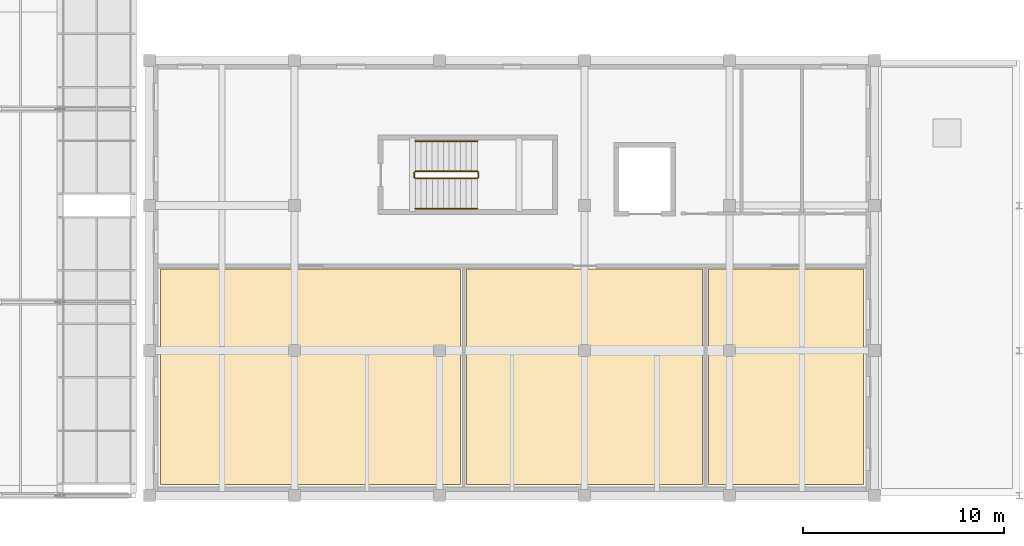
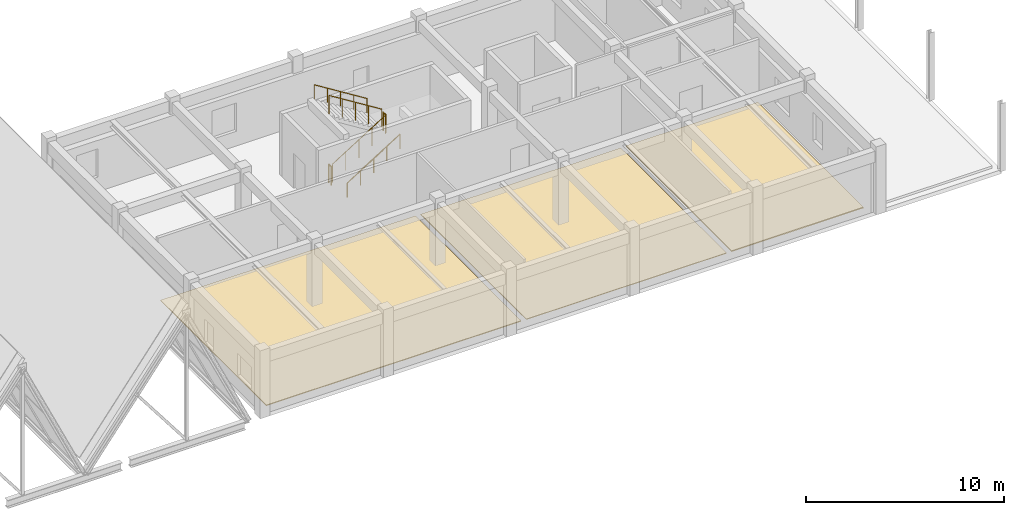
# One storey, part 95 of 99: 6 railings, 3 coverings.
"""IFC4 building model written with IfcOpenShell, lengths in metres."""

import ifcopenshell
import ifcopenshell.guid

model = None  # the IFC model being written
_history = None  # IfcOwnerHistory: only IFC2X3 demands one
_inside = {}  # id of a spatial element -> (the spatial element, [elements in it])
_under = {}  # id of a project, library or spatial element -> (it, [spatial elements below it])
_declared = {}  # id of a project -> (the project, [libraries it declares])
_typed = {}  # id of a type object -> (the type object, [elements of that type])
_made_of = {}  # id of a material, layer set ... -> (it, [elements and type objects made of it])


def new_model(schema):
    """Start an empty IFC model of exactly this schema.

    Asked for "IFC4X3", IfcOpenShell would pick the latest addendum, in which some entities
    have other attributes; the version numbers below select the first issue.
    IFC2X3 requires an IfcOwnerHistory on every rooted entity: one is made here for all.
    """
    global model, _history
    if schema == "IFC4X3":
        model = ifcopenshell.file(schema_version=(4, 3, 0, 0))
    else:
        model = ifcopenshell.file(schema=schema)
    _inside.clear()
    _under.clear()
    _declared.clear()
    _typed.clear()
    _made_of.clear()
    _history = None
    if model.schema == "IFC2X3":
        org = make("IfcOrganization", Name="unknown")
        user = make(
            "IfcPersonAndOrganization",
            ThePerson=make("IfcPerson", FamilyName="unknown"),
            TheOrganization=org,
        )
        app = make(
            "IfcApplication",
            ApplicationDeveloper=org,
            Version="unknown",
            ApplicationFullName="unknown",
            ApplicationIdentifier="unknown",
        )
        _history = make(
            "IfcOwnerHistory",
            OwningUser=user,
            OwningApplication=app,
            ChangeAction="ADDED",
            CreationDate=0,
        )
    return model


def make(cls, **values):
    """One entity of the class cls with the attributes given. An attribute that is None is left unset."""
    return model.create_entity(
        cls, **{name: value for name, value in values.items() if value is not None}
    )


def rooted(cls, **values):
    """An entity with a GlobalId (a new one), such as an element, a storey or a relation."""
    return make(cls, GlobalId=ifcopenshell.guid.new(), OwnerHistory=_history, **values)


def si_unit(unit_type, name, prefix=None):
    """IfcSIUnit, for example si_unit("LENGTHUNIT", "METRE", prefix="MILLI")."""
    return make("IfcSIUnit", UnitType=unit_type, Prefix=prefix, Name=name)


def assignment(units):
    """IfcUnitAssignment: the units of a project."""
    return None if units is None else make("IfcUnitAssignment", Units=units)


def point(xyz):
    """IfcCartesianPoint."""
    return None if xyz is None else make("IfcCartesianPoint", Coordinates=xyz)


def direction(xyz):
    """IfcDirection."""
    return None if xyz is None else make("IfcDirection", DirectionRatios=xyz)


def frame(location, z_axis=None, x_axis=None):
    """IfcAxis2Placement3D, a coordinate frame: its origin and axes. An axis left out is left unset."""
    return make(
        "IfcAxis2Placement3D",
        Location=point(location),
        Axis=direction(z_axis),
        RefDirection=direction(x_axis),
    )


def frame_2d(location, x_axis=None):
    """IfcAxis2Placement2D, a coordinate frame in the plane: its origin and x axis."""
    return make(
        "IfcAxis2Placement2D", Location=point(location), RefDirection=direction(x_axis)
    )


def origin():
    """The frame at (0, 0, 0) with its axes left unset."""
    return frame((0.0, 0.0, 0.0))


def origin_2d():
    """The frame at (0, 0) in the plane with its x axis left unset."""
    return frame_2d((0.0, 0.0))


def place(relative_to, where):
    """IfcLocalPlacement: puts the frame where relative to a parent placement (None: the world)."""
    return make(
        "IfcLocalPlacement", PlacementRelTo=relative_to, RelativePlacement=where
    )


def context(
    kind, dimensions, precision=None, world=None, true_north=None, identifier=None
):
    """IfcGeometricRepresentationContext, for example the 3D "Model" context."""
    return make(
        "IfcGeometricRepresentationContext",
        ContextIdentifier=identifier,
        ContextType=kind,
        CoordinateSpaceDimension=dimensions,
        Precision=precision,
        WorldCoordinateSystem=world,
        TrueNorth=true_north,
    )


def subcontext(parent, identifier, kind, view, scale=None):
    """IfcGeometricRepresentationSubContext, for example "Body" below "Model"."""
    return make(
        "IfcGeometricRepresentationSubContext",
        ContextIdentifier=identifier,
        ContextType=kind,
        ParentContext=parent,
        TargetScale=scale,
        TargetView=view,
    )


def project(units=None, contexts=None):
    """IfcProject with its units and contexts."""
    return rooted(
        "IfcProject",
        Name="project",
        RepresentationContexts=contexts,
        UnitsInContext=assignment(units),
    )


def spatial(cls, under=None, at=None, **own):
    """A site, building, storey or space (cls), placed at a placement, below another one or the project."""
    s = rooted(cls, ObjectPlacement=at, **own)
    if under is not None:
        _under.setdefault(under.id(), (under, []))[1].append(s)
    return s


def polyline(points):
    """IfcPolyline through the points."""
    return make("IfcPolyline", Points=[point(p) for p in points])


def profile(cls, at=None, kind="AREA", **sizes):
    """A parametric profile (cls). Its sizes go by their IFC names, for example OverallWidth=200.0."""
    return make(cls, ProfileType=kind, Position=at, **sizes)


def circle(**sizes):
    """IfcCircleProfileDef."""
    return profile("IfcCircleProfileDef", **sizes)


def outline(outer, holes=None, kind="AREA"):
    """IfcArbitraryClosedProfileDef: a profile drawn as a closed curve; with holes, ...WithVoids."""
    if holes is None:
        return make("IfcArbitraryClosedProfileDef", ProfileType=kind, OuterCurve=outer)
    return make(
        "IfcArbitraryProfileDefWithVoids",
        ProfileType=kind,
        OuterCurve=outer,
        InnerCurves=holes,
    )


def extrude(swept, where, along, depth):
    """IfcExtrudedAreaSolid: the profile swept, set in the frame where, extruded along a direction by depth."""
    return make(
        "IfcExtrudedAreaSolid",
        SweptArea=swept,
        Position=where,
        ExtrudedDirection=direction(along),
        Depth=depth,
    )


def shape(context_of_items, identifier, shape_type, items):
    """IfcShapeRepresentation: the items that make up one representation, for example the "Body"."""
    return make(
        "IfcShapeRepresentation",
        ContextOfItems=context_of_items,
        RepresentationIdentifier=identifier,
        RepresentationType=shape_type,
        Items=items,
    )


def material(Name=None, Category=None):
    """IfcMaterial."""
    return make("IfcMaterial", Name=Name, Category=Category)


def layer(
    of_material, thickness, ventilated=None, Name=None, Category=None, Priority=None
):
    """IfcMaterialLayer: one layer of a wall or slab, of a material (None: an air gap)."""
    return make(
        "IfcMaterialLayer",
        Material=of_material,
        LayerThickness=thickness,
        IsVentilated=ventilated,
        Name=Name,
        Category=Category,
        Priority=Priority,
    )


def layer_set(layers, Name=None):
    """IfcMaterialLayerSet."""
    return make("IfcMaterialLayerSet", MaterialLayers=layers, LayerSetName=Name)


def made_of(thing, what):
    """Note that an element or type object is made of a material, layer set ...; save() writes the relation."""
    if what is not None:
        _made_of.setdefault(what.id(), (what, []))[1].append(thing)
    return thing


def type_object(cls, material=None, **own):
    """A type object (cls), such as IfcWallType, which elements share."""
    return made_of(rooted(cls, **own), material)


def element(
    cls,
    number,
    at=None,
    inside=None,
    cuts=None,
    type_object=None,
    material=None,
    context=None,
    identifier="Body",
    shape_type=None,
    held_by="IfcProductDefinitionShape",
    body=None,
    shapes=None,
    **own,
):
    """One element of the class cls, such as IfcWall. Its Tag is "e" and its number.

    at: its placement. inside: the storey or other place that contains it. cuts: it is an
    opening in that element (IfcRelVoidsElement). A single representation is given by context,
    identifier, shape_type and body (its items); several are given by shapes. held_by: the class
    of the entity that holds the representations. save() writes the other relations.
    """
    e = rooted(cls, Tag="e%d" % number, ObjectPlacement=at, **own)
    if body is not None:
        shapes = [shape(context, identifier, shape_type, body)]
    if shapes is not None:
        e.Representation = make(held_by, Representations=shapes)
    if inside is not None:
        _inside.setdefault(inside.id(), (inside, []))[1].append(e)
    if cuts is not None:
        rooted(
            "IfcRelVoidsElement", RelatingBuildingElement=cuts, RelatedOpeningElement=e
        )
    if type_object is not None:
        _typed.setdefault(type_object.id(), (type_object, []))[1].append(e)
    return made_of(e, material)


def aggregate(whole, parts):
    """IfcRelAggregates: a whole, such as a stair, and the parts it consists of."""
    return rooted("IfcRelAggregates", RelatingObject=whole, RelatedObjects=parts)


def save(model, path):
    """Write the relations noted so far, then the file.

    IfcRelAggregates (storeys below a building ...), IfcRelContainedInSpatialStructure (elements
    in a storey), IfcRelDefinesByType, IfcRelAssociatesMaterial and IfcRelDeclares: one each for
    every whole, place, type object, material and project.
    """
    for whole, parts in _under.values():
        aggregate(whole, parts)
    for where, things in _inside.values():
        rooted(
            "IfcRelContainedInSpatialStructure",
            RelatedElements=things,
            RelatingStructure=where,
        )
    for kind, things in _typed.values():
        rooted("IfcRelDefinesByType", RelatedObjects=things, RelatingType=kind)
    for what, things in _made_of.values():
        rooted("IfcRelAssociatesMaterial", RelatedObjects=things, RelatingMaterial=what)
    for by, libraries in _declared.values():
        rooted("IfcRelDeclares", RelatingContext=by, RelatedDefinitions=libraries)
    model.write(path)


model = new_model("IFC4")

# Units and contexts
model_context = context("Model", 3, precision=1e-05, world=origin(), true_north=direction((0.0, 1.0)))
body_context = subcontext(model_context, "Body", "Model", "MODEL_VIEW")
ifc_project = project(units=[si_unit("LENGTHUNIT", "METRE"), si_unit("AREAUNIT", "SQUARE_METRE"), si_unit("VOLUMEUNIT", "CUBIC_METRE"), si_unit("PLANEANGLEUNIT", "RADIAN"), si_unit("MASSUNIT", "GRAM", prefix="KILO")], contexts=[model_context])

# Site, building, storey
site_placement = place(None, origin())
site = spatial("IfcSite", under=ifc_project, at=site_placement, CompositionType="ELEMENT")
building_placement = place(site_placement, origin())
building = spatial("IfcBuilding", under=site, at=building_placement, Name="Bramveld Media Centre", CompositionType="ELEMENT")
storey_placement = place(building_placement, frame((0.0, 0.0, 13.800048828125)))
storey = spatial("IfcBuildingStorey", under=building, at=storey_placement, Name="L03", CompositionType="ELEMENT", Elevation=13.800048828125)

# Coverings
ifc_material_1 = material(Name="Floating acoustic screed with smoked European oak studio flooring")
ifc_layer_1 = layer(ifc_material_1, 0.06494140625)
ifc_layer_set_1 = layer_set([ifc_layer_1], Name="Floating acoustic screed with smoked European oak studio flooring")
covering_type_1 = type_object("IfcCoveringType", Name="COV-FLOOR-01", PredefinedType="FLOORING", material=ifc_layer_set_1)
covering_1_placement = place(storey_placement, origin())
element("IfcCovering", 1, at=covering_1_placement, inside=storey, type_object=covering_type_1, Name="Cold Vault Acclimatisation Airlock finish flooring", PredefinedType="FLOORING", context=body_context, shape_type="SweptSolid", body=[
    extrude(outline(polyline([(86.14990234375, 0.550048828125), (93.85009765625, 0.550048828125), (93.85009765625, 11.25), (86.14990234375, 11.25), (86.14990234375, 0.550048828125)])), origin(), (0.0, 0.0, 1.0), 0.06494140625),
])
ifc_material_2 = material(Name="Honed Belgian bluestone (petit granit) public concourse flooring", Category="masonry")
ifc_layer_2 = layer(ifc_material_2, 0.050048828125)
ifc_layer_set_2 = layer_set([ifc_layer_2], Name="Honed Belgian bluestone (petit granit) public concourse flooring")
covering_type_2 = type_object("IfcCoveringType", Name="COV-FLOOR-02", PredefinedType="FLOORING", material=ifc_layer_set_2)
covering_2_placement = place(storey_placement, origin())
element("IfcCovering", 2, at=covering_2_placement, inside=storey, type_object=covering_type_2, Name="Photochemical Film Inspection Laboratory finish flooring", PredefinedType="FLOORING", context=body_context, shape_type="SweptSolid", body=[
    extrude(outline(polyline([(58.949951171875, 0.550048828125), (73.85009765625, 0.550048828125), (73.85009765625, 11.25), (58.949951171875, 11.25), (58.949951171875, 0.550048828125)])), origin(), (0.0, 0.0, 1.0), 0.050048828125),
])
ifc_material_3 = material(Name="Anti-static acoustic linoleum editing & vault flooring")
ifc_layer_3 = layer(ifc_material_3, 0.0400390625)
ifc_layer_set_3 = layer_set([ifc_layer_3], Name="Anti-static acoustic linoleum editing & vault flooring")
covering_type_3 = type_object("IfcCoveringType", Name="COV-FLOOR-03", PredefinedType="FLOORING", material=ifc_layer_set_3)
covering_3_placement = place(storey_placement, origin())
element("IfcCovering", 3, at=covering_3_placement, inside=storey, type_object=covering_type_3, Name="Ultrasonic Film Cleaning & Repair Studio finish flooring", PredefinedType="FLOORING", context=body_context, shape_type="SweptSolid", body=[
    extrude(outline(polyline([(74.14990234375, 0.550048828125), (85.85009765625, 0.550048828125), (85.85009765625, 11.25), (74.14990234375, 11.25), (74.14990234375, 0.550048828125)])), origin(), (0.0, 0.0, 1.0), 0.0400390625),
])

# Railings
ifc_material_4 = material(Name="Painted galvanized steel stairwell guardrail", Category="steel")
railing_type_1 = type_object("IfcRailingType", Name="RAIL-STAIR-GUARD-1150", PredefinedType="GUARDRAIL", material=ifc_material_4)
railing_1_placement = place(storey_placement, frame((71.60009765625, 15.75, 0.175048828125)))
element("IfcRailing", 4, at=railing_1_placement, inside=storey, type_object=railing_type_1, Name="L03 ST-06 stair guard 1", PredefinedType="GUARDRAIL", context=body_context, shape_type="SweptSolid", body=[
    extrude(circle(Radius=0.02392578125, at=origin_2d()), frame((0.0, 0.0, 1.1259765625), z_axis=(0.848009633417, 0.0, 0.529980812513), x_axis=(0.0, 1.0, 0.0)), (0.0, 0.0, 1.0), 3.6318359375),
    extrude(circle(Radius=0.02099609375, at=origin_2d()), origin(), (0.0, 0.0, 1.0), 1.101806640625),
    extrude(circle(Radius=0.02099609375, at=origin_2d()), frame((0.77001953125, 0.0, 0.481201171875)), (0.0, 0.0, 1.0), 1.101806640625),
    extrude(circle(Radius=0.02099609375, at=origin_2d()), frame((1.5400390625, 0.0, 0.96240234375)), (0.0, 0.0, 1.0), 1.101806640625),
    extrude(circle(Radius=0.02099609375, at=origin_2d()), frame((2.309814453125, 0.0, 1.443603515625)), (0.0, 0.0, 1.0), 1.101806640625),
    extrude(circle(Radius=0.02099609375, at=origin_2d()), frame((3.079833984375, 0.0, 1.9248046875)), (0.0, 0.0, 1.0), 1.101806640625),
])
railing_2_placement = place(storey_placement, frame((74.72998046875, 15.800048828125, 2.099853515625)))
element("IfcRailing", 5, at=railing_2_placement, inside=storey, type_object=railing_type_1, Name="L03 ST-06 stair guard 2", PredefinedType="GUARDRAIL", context=body_context, shape_type="SweptSolid", body=[
    extrude(circle(Radius=0.02392578125, at=origin_2d()), frame((0.0, 0.0, 1.1259765625), z_axis=(0.0, 1.0, 0.0), x_axis=(-1.0, 0.0, 0.0)), (0.0, 0.0, 1.0), 0.25),
    extrude(circle(Radius=0.02099609375, at=origin_2d()), origin(), (0.0, 0.0, 1.0), 1.101806640625),
    extrude(circle(Radius=0.02099609375, at=origin_2d()), frame((0.0, 0.25, 0.0)), (0.0, 0.0, 1.0), 1.101806640625),
])
railing_3_placement = place(storey_placement, frame((74.679931640625, 16.10009765625, 2.27490234375)))
element("IfcRailing", 6, at=railing_3_placement, inside=storey, type_object=railing_type_1, Name="L03 ST-06 stair guard 3", PredefinedType="GUARDRAIL", context=body_context, shape_type="SweptSolid", body=[
    extrude(circle(Radius=0.02392578125, at=origin_2d()), frame((0.0, 0.0, 1.1259765625), z_axis=(-0.847979421464, 0.0, 0.530029150871), x_axis=(0.0, -1.0, 0.0)), (0.0, 0.0, 1.0), 3.632080078125),
    extrude(circle(Radius=0.02099609375, at=origin_2d()), origin(), (0.0, 0.0, 1.0), 1.101806640625),
    extrude(circle(Radius=0.02099609375, at=origin_2d()), frame((-0.77001953125, 0.0, 0.481201171875)), (0.0, 0.0, 1.0), 1.101806640625),
    extrude(circle(Radius=0.02099609375, at=origin_2d()), frame((-1.5400390625, 0.0, 0.96240234375)), (0.0, 0.0, 1.0), 1.101806640625),
    extrude(circle(Radius=0.02099609375, at=origin_2d()), frame((-2.309814453125, 0.0, 1.44384765625)), (0.0, 0.0, 1.0), 1.101806640625),
    extrude(circle(Radius=0.02099609375, at=origin_2d()), frame((-3.079833984375, 0.0, 1.925048828125)), (0.0, 0.0, 1.0), 1.101806640625),
])
railing_4_placement = place(storey_placement, frame((71.550048828125, 15.800048828125, 0.0)))
element("IfcRailing", 7, at=railing_4_placement, inside=storey, type_object=railing_type_1, Name="L03 ST-06 stair guard 4", PredefinedType="GUARDRAIL", context=body_context, shape_type="SweptSolid", body=[
    extrude(circle(Radius=0.02392578125, at=origin_2d()), frame((0.0, 0.0, 1.1259765625), z_axis=(0.0, 1.0, 0.0), x_axis=(-1.0, 0.0, 0.0)), (0.0, 0.0, 1.0), 0.25),
    extrude(circle(Radius=0.02099609375, at=origin_2d()), origin(), (0.0, 0.0, 1.0), 1.101806640625),
    extrude(circle(Radius=0.02099609375, at=origin_2d()), frame((0.0, 0.25, 0.0)), (0.0, 0.0, 1.0), 1.101806640625),
])
ifc_material_5 = material(Name="Brushed stainless steel tubular stair handrail", Category="steel")
railing_type_2 = type_object("IfcRailingType", Name="RAIL-STAIR-HAND-0920", PredefinedType="HANDRAIL", material=ifc_material_5)
railing_5_placement = place(storey_placement, frame((71.60009765625, 14.25, 0.175048828125)))
element("IfcRailing", 8, at=railing_5_placement, inside=storey, type_object=railing_type_2, Name="L03 ST-06 stair handrail 1", PredefinedType="HANDRAIL", context=body_context, shape_type="SweptSolid", body=[
    extrude(circle(Radius=0.02392578125, at=origin_2d()), frame((0.0, 0.0, 0.8759765625), z_axis=(0.848009633417, 0.0, 0.529980812513), x_axis=(0.0, 1.0, 0.0)), (0.0, 0.0, 1.0), 3.6318359375),
    extrude(circle(Radius=0.02099609375, at=origin_2d()), origin(), (0.0, 0.0, 1.0), 0.851806640625),
    extrude(circle(Radius=0.02099609375, at=origin_2d()), frame((0.77001953125, 0.0, 0.481201171875)), (0.0, 0.0, 1.0), 0.851806640625),
    extrude(circle(Radius=0.02099609375, at=origin_2d()), frame((1.5400390625, 0.0, 0.96240234375)), (0.0, 0.0, 1.0), 0.851806640625),
    extrude(circle(Radius=0.02099609375, at=origin_2d()), frame((2.309814453125, 0.0, 1.443603515625)), (0.0, 0.0, 1.0), 0.851806640625),
    extrude(circle(Radius=0.02099609375, at=origin_2d()), frame((3.079833984375, 0.0, 1.9248046875)), (0.0, 0.0, 1.0), 0.851806640625),
])
railing_6_placement = place(storey_placement, frame((74.679931640625, 17.60009765625, 2.27490234375)))
element("IfcRailing", 9, at=railing_6_placement, inside=storey, type_object=railing_type_2, Name="L03 ST-06 stair handrail 2", PredefinedType="HANDRAIL", context=body_context, shape_type="SweptSolid", body=[
    extrude(circle(Radius=0.02392578125, at=origin_2d()), frame((0.0, 0.0, 0.8759765625), z_axis=(-0.847979421464, 0.0, 0.530029150871), x_axis=(0.0, -1.0, 0.0)), (0.0, 0.0, 1.0), 3.632080078125),
    extrude(circle(Radius=0.02099609375, at=origin_2d()), origin(), (0.0, 0.0, 1.0), 0.851806640625),
    extrude(circle(Radius=0.02099609375, at=origin_2d()), frame((-0.77001953125, 0.0, 0.481201171875)), (0.0, 0.0, 1.0), 0.851806640625),
    extrude(circle(Radius=0.02099609375, at=origin_2d()), frame((-1.5400390625, 0.0, 0.96240234375)), (0.0, 0.0, 1.0), 0.851806640625),
    extrude(circle(Radius=0.02099609375, at=origin_2d()), frame((-2.309814453125, 0.0, 1.44384765625)), (0.0, 0.0, 1.0), 0.851806640625),
    extrude(circle(Radius=0.02099609375, at=origin_2d()), frame((-3.079833984375, 0.0, 1.925048828125)), (0.0, 0.0, 1.0), 0.851806640625),
])

save(model, "model.ifc")
